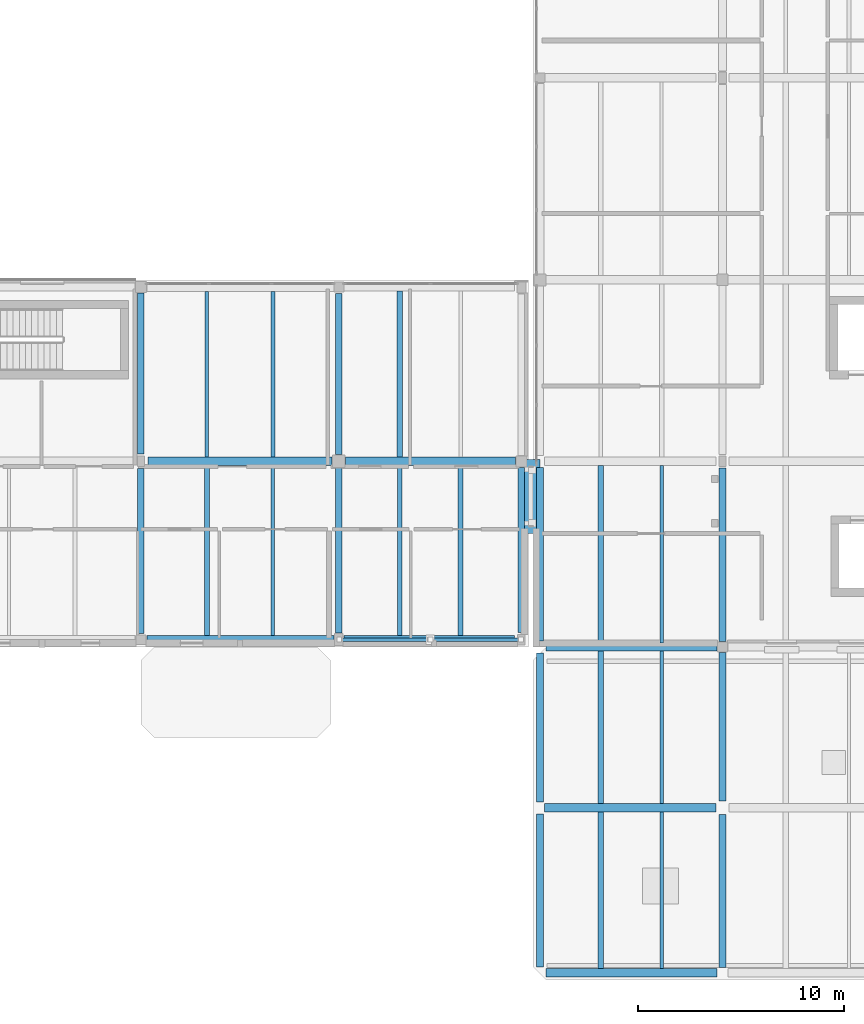
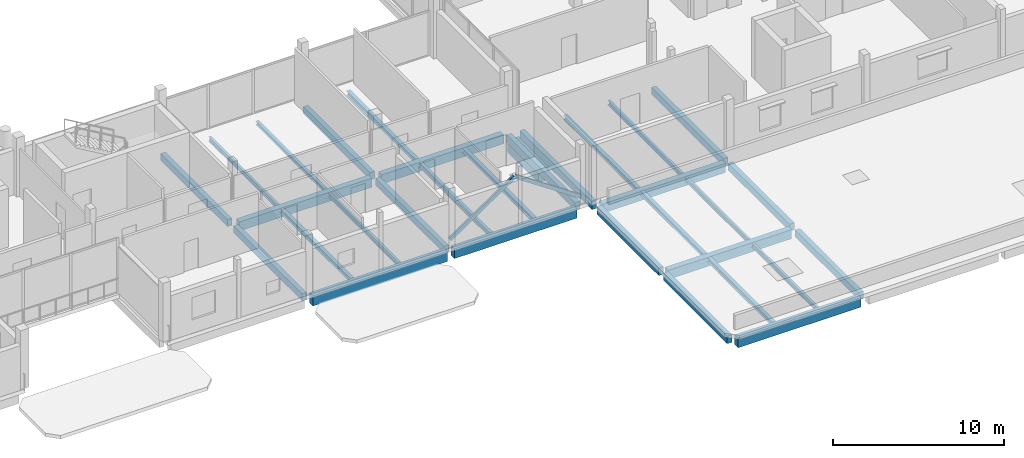
# One storey, part 13 of 66: 32 beams, 2 members.
"""IFC4 building model written with IfcOpenShell, lengths in metres."""

from ifc_helpers import new_model, si_unit, direction, frame, origin, origin_2d, place, context, subcontext, project, spatial, rectangle, hollow_rectangle, i_section, extrude, material, material_profile, profile_set, type_object, element, save


model = new_model("IFC4")

# Units and contexts
model_context = context("Model", 3, precision=1e-05, world=origin(), true_north=direction((0.0, 1.0)))
body_context = subcontext(model_context, "Body", "Model", "MODEL_VIEW")
ifc_project = project(units=[si_unit("LENGTHUNIT", "METRE"), si_unit("AREAUNIT", "SQUARE_METRE"), si_unit("VOLUMEUNIT", "CUBIC_METRE"), si_unit("PLANEANGLEUNIT", "RADIAN"), si_unit("MASSUNIT", "GRAM", prefix="KILO")], contexts=[model_context])

# Site, building, storey
site_placement = place(None, origin())
site = spatial("IfcSite", under=ifc_project, at=site_placement, CompositionType="ELEMENT")
building_placement = place(site_placement, origin())
building = spatial("IfcBuilding", under=site, at=building_placement, Name="Birchvale Park Specialist Clinic", CompositionType="ELEMENT")
storey_placement = place(building_placement, frame((0.0, 0.0, 5.39990234375)))
storey = spatial("IfcBuildingStorey", under=building, at=storey_placement, Name="L01", CompositionType="ELEMENT", Elevation=5.39990234375)

# Beams
ifc_material_1 = material(Name="Concrete C40/50", Category="concrete")
ifc_material_profile_1 = material_profile(ifc_material_1, rectangle(XDim=0.419921875, YDim=0.719970703125, at=origin_2d()), Name="RCB-420x720")
ifc_profile_set_1 = profile_set([ifc_material_profile_1], Name="Concrete C40/50")
beam_type_1 = type_object("IfcBeamType", Name="BM-EXT-BG3", PredefinedType="BEAM", material=ifc_profile_set_1)
beam_1_placement = place(storey_placement, frame((100.090087890625, 17.14990234375, -0.639892578125), z_axis=(1.0, 0.0, 0.0), x_axis=(0.0, 1.0, 0.0)))
element("IfcBeam", 1, at=beam_1_placement, inside=storey, type_object=beam_type_1, Name="V4 L01 X girder 5", PredefinedType="BEAM", context=body_context, shape_type="SweptSolid", body=[
    extrude(rectangle(XDim=0.419921875, YDim=0.719970703125, at=origin_2d()), origin(), (0.0, 0.0, 1.0), 9.074951171875),
])
ifc_material_profile_2 = material_profile(ifc_material_1, rectangle(XDim=0.39990234375, YDim=0.68994140625, at=origin_2d()), Name="RCB-400x690")
ifc_profile_set_2 = profile_set([ifc_material_profile_2], Name="Concrete C40/50")
beam_type_2 = type_object("IfcBeamType", Name="BM-EXT-BG4", PredefinedType="BEAM", material=ifc_profile_set_2)
beam_2_placement = place(storey_placement, frame((109.635009765625, 17.14990234375, -0.625), z_axis=(1.0, 0.0, 0.0), x_axis=(0.0, 1.0, 0.0)))
element("IfcBeam", 2, at=beam_2_placement, inside=storey, type_object=beam_type_2, Name="V4 L01 X girder 6", PredefinedType="BEAM", context=body_context, shape_type="SweptSolid", body=[
    extrude(rectangle(XDim=0.39990234375, YDim=0.68994140625, at=origin_2d()), origin(), (0.0, 0.0, 1.0), 8.27490234375),
])
beam_3_placement = place(storey_placement, frame((119.43994140625, 1.0, -0.619873046875), z_axis=(1.0, 0.0, 0.0), x_axis=(0.0, 1.0, 0.0)))
element("IfcBeam", 3, at=beam_3_placement, inside=storey, type_object=beam_type_2, Name="V5 L01 X girder 1", PredefinedType="BEAM", context=body_context, shape_type="SweptSolid", body=[
    extrude(rectangle(XDim=0.39990234375, YDim=0.68994140625, at=origin_2d()), origin(), (0.0, 0.0, 1.0), 8.295166015625),
])
ifc_material_profile_3 = material_profile(ifc_material_1, rectangle(XDim=0.320068359375, YDim=0.5400390625, at=origin_2d()), Name="RCB-320x540")
ifc_profile_set_3 = profile_set([ifc_material_profile_3], Name="Concrete C40/50")
beam_type_3 = type_object("IfcBeamType", Name="BM-EXT-BG7", PredefinedType="BEAM", material=ifc_profile_set_3)
beam_4_placement = place(storey_placement, frame((118.25, 17.489990234375, -0.5498046875), z_axis=(0.0, 1.0, 0.0), x_axis=(-1.0, 0.0, 0.0)))
element("IfcBeam", 4, at=beam_4_placement, inside=storey, type_object=beam_type_3, Name="V4 L01 Y girder 35", PredefinedType="BEAM", context=body_context, shape_type="SweptSolid", body=[
    extrude(rectangle(XDim=0.320068359375, YDim=0.5400390625, at=origin_2d()), origin(), (0.0, 0.0, 1.0), 8.02001953125),
])
beam_5_placement = place(storey_placement, frame((119.14990234375, 1.2900390625, -0.544921875), z_axis=(0.0, 1.0, 0.0), x_axis=(-1.0, 0.0, 0.0)))
element("IfcBeam", 5, at=beam_5_placement, inside=storey, type_object=beam_type_3, Name="V5 L01 Y girder 35", PredefinedType="BEAM", context=body_context, shape_type="SweptSolid", body=[
    extrude(rectangle(XDim=0.320068359375, YDim=0.5400390625, at=origin_2d()), origin(), (0.0, 0.0, 1.0), 7.419921875),
])
beam_6_placement = place(storey_placement, frame((119.14990234375, 9.2900390625, -0.544921875), z_axis=(0.0, 1.0, 0.0), x_axis=(-1.0, 0.0, 0.0)))
element("IfcBeam", 6, at=beam_6_placement, inside=storey, type_object=beam_type_3, Name="V5 L01 Y girder 36", PredefinedType="BEAM", context=body_context, shape_type="SweptSolid", body=[
    extrude(rectangle(XDim=0.320068359375, YDim=0.5400390625, at=origin_2d()), origin(), (0.0, 0.0, 1.0), 7.219970703125),
])
beam_7_placement = place(storey_placement, frame((119.14990234375, 17.090087890625, -0.56982421875), z_axis=(0.0, 1.0, 0.0), x_axis=(-1.0, 0.0, 0.0)))
element("IfcBeam", 7, at=beam_7_placement, inside=storey, type_object=beam_type_3, Name="V5 L01 Y girder 37", PredefinedType="BEAM", context=body_context, shape_type="SweptSolid", body=[
    extrude(rectangle(XDim=0.320068359375, YDim=0.5400390625, at=origin_2d()), origin(), (0.0, 0.0, 1.0), 8.419921875),
])
ifc_material_profile_4 = material_profile(ifc_material_1, rectangle(XDim=0.760009765625, YDim=0.889892578125, at=origin_2d()), Name="RCB-760x890")
ifc_profile_set_4 = profile_set([ifc_material_profile_4], Name="Concrete C40/50")
beam_type_4 = type_object("IfcBeamType", Name="BM-EXT-RB2", PredefinedType="BEAM", material=ifc_profile_set_4)
beam_8_placement = place(storey_placement, frame((118.77001953125, 22.300048828125, -1.431884765625), z_axis=(0.0, 1.0, 0.0), x_axis=(-1.0, 0.0, 0.0)))
element("IfcBeam", 8, at=beam_8_placement, inside=storey, type_object=beam_type_4, Name="L01 seismic joint RC corbel seat 760 mm BRG-2", PredefinedType="BEAM", context=body_context, shape_type="SweptSolid", body=[
    extrude(rectangle(XDim=0.760009765625, YDim=0.889892578125, at=origin_2d()), origin(), (0.0, 0.0, 1.0), 3.599853515625),
])
ifc_material_profile_5 = material_profile(ifc_material_1, rectangle(XDim=0.39990234375, YDim=0.64990234375, at=origin_2d()), Name="RCB-400x650")
ifc_profile_set_5 = profile_set([ifc_material_profile_5], Name="Concrete C40/50")
beam_type_5 = type_object("IfcBeamType", Name="BM-INT-BG4", PredefinedType="BEAM", material=ifc_profile_set_5)
beam_9_placement = place(storey_placement, frame((100.14990234375, 25.800048828125, -0.60498046875), z_axis=(1.0, 0.0, 0.0), x_axis=(0.0, 1.0, 0.0)))
element("IfcBeam", 9, at=beam_9_placement, inside=storey, type_object=beam_type_5, Name="V4 L01 X girder 12", PredefinedType="BEAM", context=body_context, shape_type="SweptSolid", body=[
    extrude(rectangle(XDim=0.39990234375, YDim=0.64990234375, at=origin_2d()), origin(), (0.0, 0.0, 1.0), 8.925048828125),
])
beam_10_placement = place(storey_placement, frame((109.72509765625, 25.800048828125, -0.60498046875), z_axis=(1.0, 0.0, 0.0), x_axis=(0.0, 1.0, 0.0)))
element("IfcBeam", 10, at=beam_10_placement, inside=storey, type_object=beam_type_5, Name="V4 L01 X girder 13", PredefinedType="BEAM", context=body_context, shape_type="SweptSolid", body=[
    extrude(rectangle(XDim=0.39990234375, YDim=0.64990234375, at=origin_2d()), origin(), (0.0, 0.0, 1.0), 8.23486328125),
])
beam_11_placement = place(storey_placement, frame((119.360107421875, 9.0, -0.599853515625), z_axis=(1.0, 0.0, 0.0), x_axis=(0.0, 1.0, 0.0)))
element("IfcBeam", 11, at=beam_11_placement, inside=storey, type_object=beam_type_5, Name="V5 L01 X girder 6", PredefinedType="BEAM", context=body_context, shape_type="SweptSolid", body=[
    extrude(rectangle(XDim=0.39990234375, YDim=0.64990234375, at=origin_2d()), origin(), (0.0, 0.0, 1.0), 8.31494140625),
])
beam_12_placement = place(storey_placement, frame((119.43994140625, 16.800048828125, -0.625), z_axis=(1.0, 0.0, 0.0), x_axis=(0.0, 1.0, 0.0)))
element("IfcBeam", 12, at=beam_12_placement, inside=storey, type_object=beam_type_5, Name="V5 L01 X girder 11", PredefinedType="BEAM", context=body_context, shape_type="SweptSolid", body=[
    extrude(rectangle(XDim=0.39990234375, YDim=0.64990234375, at=origin_2d()), origin(), (0.0, 0.0, 1.0), 8.28515625),
])
ifc_material_profile_6 = material_profile(ifc_material_1, rectangle(XDim=0.320068359375, YDim=0.5, at=origin_2d()), Name="RCB-320x500")
ifc_profile_set_6 = profile_set([ifc_material_profile_6], Name="Concrete C40/50")
beam_type_6 = type_object("IfcBeamType", Name="BM-INT-BG7", PredefinedType="BEAM", material=ifc_profile_set_6)
beam_13_placement = place(storey_placement, frame((99.800048828125, 17.43994140625, -0.52978515625), z_axis=(0.0, 1.0, 0.0), x_axis=(-1.0, 0.0, 0.0)))
element("IfcBeam", 13, at=beam_13_placement, inside=storey, type_object=beam_type_6, Name="V4 L01 Y girder 31", PredefinedType="BEAM", context=body_context, shape_type="SweptSolid", body=[
    extrude(rectangle(XDim=0.320068359375, YDim=0.5, at=origin_2d()), origin(), (0.0, 0.0, 1.0), 8.010009765625),
])
beam_14_placement = place(storey_placement, frame((99.800048828125, 26.14990234375, -0.52978515625), z_axis=(0.0, 1.0, 0.0), x_axis=(-1.0, 0.0, 0.0)))
element("IfcBeam", 14, at=beam_14_placement, inside=storey, type_object=beam_type_6, Name="V4 L01 Y girder 32", PredefinedType="BEAM", context=body_context, shape_type="SweptSolid", body=[
    extrude(rectangle(XDim=0.320068359375, YDim=0.5, at=origin_2d()), origin(), (0.0, 0.0, 1.0), 7.81005859375),
])
beam_15_placement = place(storey_placement, frame((109.39990234375, 17.465087890625, -0.52978515625), z_axis=(0.0, 1.0, 0.0), x_axis=(-1.0, 0.0, 0.0)))
element("IfcBeam", 15, at=beam_15_placement, inside=storey, type_object=beam_type_6, Name="V4 L01 Y girder 33", PredefinedType="BEAM", context=body_context, shape_type="SweptSolid", body=[
    extrude(rectangle(XDim=0.320068359375, YDim=0.5, at=origin_2d()), origin(), (0.0, 0.0, 1.0), 8.010009765625),
])
beam_16_placement = place(storey_placement, frame((109.39990234375, 26.125, -0.52978515625), z_axis=(0.0, 1.0, 0.0), x_axis=(-1.0, 0.0, 0.0)))
element("IfcBeam", 16, at=beam_16_placement, inside=storey, type_object=beam_type_6, Name="V4 L01 Y girder 34", PredefinedType="BEAM", context=body_context, shape_type="SweptSolid", body=[
    extrude(rectangle(XDim=0.320068359375, YDim=0.5, at=origin_2d()), origin(), (0.0, 0.0, 1.0), 7.81005859375),
])
beam_17_placement = place(storey_placement, frame((128.0, 1.264892578125, -0.52490234375), z_axis=(0.0, 1.0, 0.0), x_axis=(-1.0, 0.0, 0.0)))
element("IfcBeam", 17, at=beam_17_placement, inside=storey, type_object=beam_type_6, Name="V5 L01 Y girder 40", PredefinedType="BEAM", context=body_context, shape_type="SweptSolid", body=[
    extrude(rectangle(XDim=0.320068359375, YDim=0.5, at=origin_2d()), origin(), (0.0, 0.0, 1.0), 7.41015625),
])
beam_18_placement = place(storey_placement, frame((128.0, 9.324951171875, -0.52490234375), z_axis=(0.0, 1.0, 0.0), x_axis=(-1.0, 0.0, 0.0)))
element("IfcBeam", 18, at=beam_18_placement, inside=storey, type_object=beam_type_6, Name="V5 L01 Y girder 41", PredefinedType="BEAM", context=body_context, shape_type="SweptSolid", body=[
    extrude(rectangle(XDim=0.320068359375, YDim=0.5, at=origin_2d()), origin(), (0.0, 0.0, 1.0), 7.199951171875),
])
beam_19_placement = place(storey_placement, frame((128.0, 17.074951171875, -0.5498046875), z_axis=(0.0, 1.0, 0.0), x_axis=(-1.0, 0.0, 0.0)))
element("IfcBeam", 19, at=beam_19_placement, inside=storey, type_object=beam_type_6, Name="V5 L01 Y girder 42", PredefinedType="BEAM", context=body_context, shape_type="SweptSolid", body=[
    extrude(rectangle(XDim=0.320068359375, YDim=0.5, at=origin_2d()), origin(), (0.0, 0.0, 1.0), 8.400146484375),
])

# Members
ifc_material_2 = material(Name="Steel ASTM A500 Grade C", Category="steel")
ifc_material_profile_7 = material_profile(ifc_material_2, hollow_rectangle(XDim=0.14990234375, YDim=0.25, WallThickness=0.010009765625, at=origin_2d()), Name="HSS150X250X10")
ifc_profile_set_7 = profile_set([ifc_material_profile_7], Name="Steel ASTM A500 Grade C")
member_type = type_object("IfcMemberType", Name="MEM-BR7", PredefinedType="BRACE", material=ifc_profile_set_7)
for number, where, z_axis, x_axis, name in (
    (20, (109.4248046875, 17.14990234375, 0.366943359375), (0.828584331212, 0.0, 0.559864274686), (0.0, 1.0, 0.0), "V4 L01 chevron steel brace 4.1"),
    (21, (118.22509765625, 17.14990234375, 0.366943359375), (-0.828584331212, 0.0, 0.559864274686), (0.0, -1.0, 0.0), "V4 L01 chevron steel brace 4.2"),
):
    element("IfcMember", number, at=place(storey_placement, frame(where, z_axis=z_axis, x_axis=x_axis)), inside=storey, type_object=member_type, Name=name, PredefinedType="BRACE", context=body_context, shape_type="SweptSolid", body=[
        extrude(hollow_rectangle(XDim=0.14990234375, YDim=0.25, WallThickness=0.010009765625, at=origin_2d()), origin(), (0.0, 0.0, 1.0), 5.2802734375),
    ])

# Beams
ifc_material_3 = material(Name="Steel ASTM A992 Grade 50", Category="steel")
ifc_material_profile_8 = material_profile(ifc_material_3, i_section(OverallWidth=0.2041015625, OverallDepth=0.35107421875, WebThickness=0.008544921875, FlangeThickness=0.01513671875, at=origin_2d()), Name="W14X48")
ifc_profile_set_8 = profile_set([ifc_material_profile_8], Name="Steel ASTM A992 Grade 50")
beam_type_7 = type_object("IfcBeamType", Name="STL-INT-SJ1", PredefinedType="JOIST", material=ifc_profile_set_8)
beam_20_placement = place(storey_placement, frame((112.35009765625, 17.35009765625, -0.455322265625), z_axis=(0.0, 1.0, 0.0), x_axis=(-1.0, 0.0, 0.0)))
element("IfcBeam", 22, at=beam_20_placement, inside=storey, type_object=beam_type_7, Name="V4 L01 secondary floor joist 14", PredefinedType="JOIST", context=body_context, shape_type="SweptSolid", body=[
    extrude(i_section(OverallWidth=0.2041015625, OverallDepth=0.35107421875, WebThickness=0.008544921875, FlangeThickness=0.01513671875, at=origin_2d()), origin(), (0.0, 0.0, 1.0), 8.25),
])
ifc_material_profile_9 = material_profile(ifc_material_3, i_section(OverallWidth=0.25390625, OverallDepth=0.305908203125, WebThickness=0.0087890625, FlangeThickness=0.0146484375, at=origin_2d()), Name="W12X53")
ifc_profile_set_9 = profile_set([ifc_material_profile_9], Name="Steel ASTM A992 Grade 50")
beam_type_8 = type_object("IfcBeamType", Name="STL-INT-SJ2", PredefinedType="JOIST", material=ifc_profile_set_9)
beam_21_placement = place(storey_placement, frame((103.0, 17.360107421875, -0.432861328125), z_axis=(0.0, 1.0, 0.0), x_axis=(-1.0, 0.0, 0.0)))
element("IfcBeam", 23, at=beam_21_placement, inside=storey, type_object=beam_type_8, Name="V4 L01 secondary floor joist 10", PredefinedType="JOIST", context=body_context, shape_type="SweptSolid", body=[
    extrude(i_section(OverallWidth=0.25390625, OverallDepth=0.305908203125, WebThickness=0.0087890625, FlangeThickness=0.0146484375, at=origin_2d()), origin(), (0.0, 0.0, 1.0), 8.239990234375),
])
beam_22_placement = place(storey_placement, frame((115.300048828125, 17.35009765625, -0.432861328125), z_axis=(0.0, 1.0, 0.0), x_axis=(-1.0, 0.0, 0.0)))
element("IfcBeam", 24, at=beam_22_placement, inside=storey, type_object=beam_type_8, Name="V4 L01 secondary floor joist 15", PredefinedType="JOIST", context=body_context, shape_type="SweptSolid", body=[
    extrude(i_section(OverallWidth=0.25390625, OverallDepth=0.305908203125, WebThickness=0.0087890625, FlangeThickness=0.0146484375, at=origin_2d()), origin(), (0.0, 0.0, 1.0), 8.25),
])
beam_23_placement = place(storey_placement, frame((112.35009765625, 26.0, -0.432861328125), z_axis=(0.0, 1.0, 0.0), x_axis=(-1.0, 0.0, 0.0)))
element("IfcBeam", 25, at=beam_23_placement, inside=storey, type_object=beam_type_8, Name="V4 L01 secondary floor joist 16", PredefinedType="JOIST", context=body_context, shape_type="SweptSolid", body=[
    extrude(i_section(OverallWidth=0.25390625, OverallDepth=0.305908203125, WebThickness=0.0087890625, FlangeThickness=0.0146484375, at=origin_2d()), origin(), (0.0, 0.0, 1.0), 8.050048828125),
])
beam_24_placement = place(storey_placement, frame((122.10009765625, 1.199951171875, -0.427978515625), z_axis=(0.0, 1.0, 0.0), x_axis=(-1.0, 0.0, 0.0)))
element("IfcBeam", 26, at=beam_24_placement, inside=storey, type_object=beam_type_8, Name="V5 L01 secondary floor joist 1", PredefinedType="JOIST", context=body_context, shape_type="SweptSolid", body=[
    extrude(i_section(OverallWidth=0.25390625, OverallDepth=0.305908203125, WebThickness=0.0087890625, FlangeThickness=0.0146484375, at=origin_2d()), origin(), (0.0, 0.0, 1.0), 7.60009765625),
])
beam_25_placement = place(storey_placement, frame((122.10009765625, 9.199951171875, -0.427978515625), z_axis=(0.0, 1.0, 0.0), x_axis=(-1.0, 0.0, 0.0)))
element("IfcBeam", 27, at=beam_25_placement, inside=storey, type_object=beam_type_8, Name="V5 L01 secondary floor joist 3", PredefinedType="JOIST", context=body_context, shape_type="SweptSolid", body=[
    extrude(i_section(OverallWidth=0.25390625, OverallDepth=0.305908203125, WebThickness=0.0087890625, FlangeThickness=0.0146484375, at=origin_2d()), origin(), (0.0, 0.0, 1.0), 7.400146484375),
])
beam_26_placement = place(storey_placement, frame((122.10009765625, 17.0, -0.452880859375), z_axis=(0.0, 1.0, 0.0), x_axis=(-1.0, 0.0, 0.0)))
element("IfcBeam", 28, at=beam_26_placement, inside=storey, type_object=beam_type_8, Name="V5 L01 secondary floor joist 5", PredefinedType="JOIST", context=body_context, shape_type="SweptSolid", body=[
    extrude(i_section(OverallWidth=0.25390625, OverallDepth=0.305908203125, WebThickness=0.0087890625, FlangeThickness=0.0146484375, at=origin_2d()), origin(), (0.0, 0.0, 1.0), 8.60009765625),
])
ifc_material_profile_10 = material_profile(ifc_material_3, i_section(OverallWidth=0.1669921875, OverallDepth=0.31689453125, WebThickness=0.007568359375, FlangeThickness=0.01318359375, at=origin_2d()), Name="W12X35")
ifc_profile_set_10 = profile_set([ifc_material_profile_10], Name="Steel ASTM A992 Grade 50")
beam_type_9 = type_object("IfcBeamType", Name="STL-INT-SJ3", PredefinedType="JOIST", material=ifc_profile_set_10)
beam_27_placement = place(storey_placement, frame((106.199951171875, 17.360107421875, -0.4384765625), z_axis=(0.0, 1.0, 0.0), x_axis=(-1.0, 0.0, 0.0)))
element("IfcBeam", 29, at=beam_27_placement, inside=storey, type_object=beam_type_9, Name="V4 L01 secondary floor joist 11", PredefinedType="JOIST", context=body_context, shape_type="SweptSolid", body=[
    extrude(i_section(OverallWidth=0.1669921875, OverallDepth=0.31689453125, WebThickness=0.007568359375, FlangeThickness=0.01318359375, at=origin_2d()), origin(), (0.0, 0.0, 1.0), 8.239990234375),
])
beam_28_placement = place(storey_placement, frame((103.0, 26.0, -0.4384765625), z_axis=(0.0, 1.0, 0.0), x_axis=(-1.0, 0.0, 0.0)))
element("IfcBeam", 30, at=beam_28_placement, inside=storey, type_object=beam_type_9, Name="V4 L01 secondary floor joist 12", PredefinedType="JOIST", context=body_context, shape_type="SweptSolid", body=[
    extrude(i_section(OverallWidth=0.1669921875, OverallDepth=0.31689453125, WebThickness=0.007568359375, FlangeThickness=0.01318359375, at=origin_2d()), origin(), (0.0, 0.0, 1.0), 8.0400390625),
])
beam_29_placement = place(storey_placement, frame((125.050048828125, 1.199951171875, -0.433349609375), z_axis=(0.0, 1.0, 0.0), x_axis=(-1.0, 0.0, 0.0)))
element("IfcBeam", 31, at=beam_29_placement, inside=storey, type_object=beam_type_9, Name="V5 L01 secondary floor joist 2", PredefinedType="JOIST", context=body_context, shape_type="SweptSolid", body=[
    extrude(i_section(OverallWidth=0.1669921875, OverallDepth=0.31689453125, WebThickness=0.007568359375, FlangeThickness=0.01318359375, at=origin_2d()), origin(), (0.0, 0.0, 1.0), 7.60009765625),
])
beam_30_placement = place(storey_placement, frame((125.050048828125, 9.199951171875, -0.433349609375), z_axis=(0.0, 1.0, 0.0), x_axis=(-1.0, 0.0, 0.0)))
element("IfcBeam", 32, at=beam_30_placement, inside=storey, type_object=beam_type_9, Name="V5 L01 secondary floor joist 4", PredefinedType="JOIST", context=body_context, shape_type="SweptSolid", body=[
    extrude(i_section(OverallWidth=0.1669921875, OverallDepth=0.31689453125, WebThickness=0.007568359375, FlangeThickness=0.01318359375, at=origin_2d()), origin(), (0.0, 0.0, 1.0), 7.400146484375),
])
beam_31_placement = place(storey_placement, frame((125.050048828125, 17.0, -0.45849609375), z_axis=(0.0, 1.0, 0.0), x_axis=(-1.0, 0.0, 0.0)))
element("IfcBeam", 33, at=beam_31_placement, inside=storey, type_object=beam_type_9, Name="V5 L01 secondary floor joist 6", PredefinedType="JOIST", context=body_context, shape_type="SweptSolid", body=[
    extrude(i_section(OverallWidth=0.1669921875, OverallDepth=0.31689453125, WebThickness=0.007568359375, FlangeThickness=0.01318359375, at=origin_2d()), origin(), (0.0, 0.0, 1.0), 8.60009765625),
])
ifc_material_profile_11 = material_profile(ifc_material_3, i_section(OverallWidth=0.202880859375, OverallDepth=0.251953125, WebThickness=0.008056640625, FlangeThickness=0.013427734375, at=origin_2d()), Name="W10X39")
ifc_profile_set_11 = profile_set([ifc_material_profile_11], Name="Steel ASTM A992 Grade 50")
beam_type_10 = type_object("IfcBeamType", Name="STL-INT-SJ4", PredefinedType="JOIST", material=ifc_profile_set_11)
beam_32_placement = place(storey_placement, frame((106.199951171875, 26.0, -0.406005859375), z_axis=(0.0, 1.0, 0.0), x_axis=(-1.0, 0.0, 0.0)))
element("IfcBeam", 34, at=beam_32_placement, inside=storey, type_object=beam_type_10, Name="V4 L01 secondary floor joist 13", PredefinedType="JOIST", context=body_context, shape_type="SweptSolid", body=[
    extrude(i_section(OverallWidth=0.202880859375, OverallDepth=0.251953125, WebThickness=0.008056640625, FlangeThickness=0.013427734375, at=origin_2d()), origin(), (0.0, 0.0, 1.0), 8.0400390625),
])

save(model, "model.ifc")
